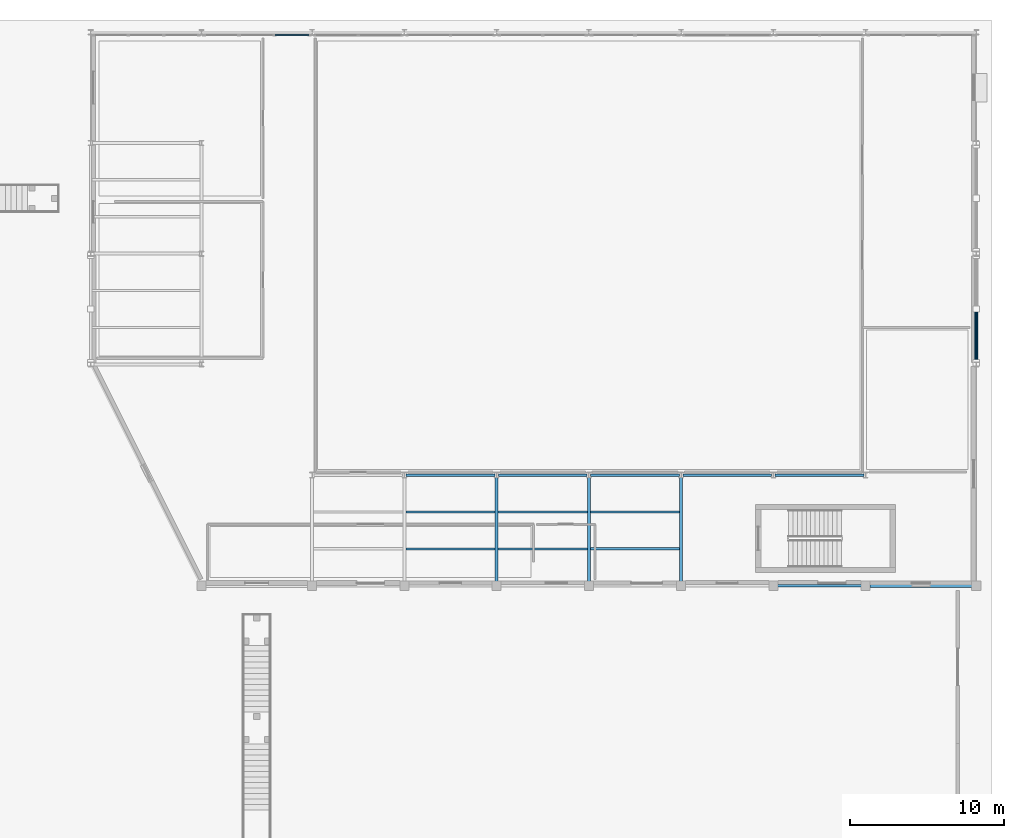
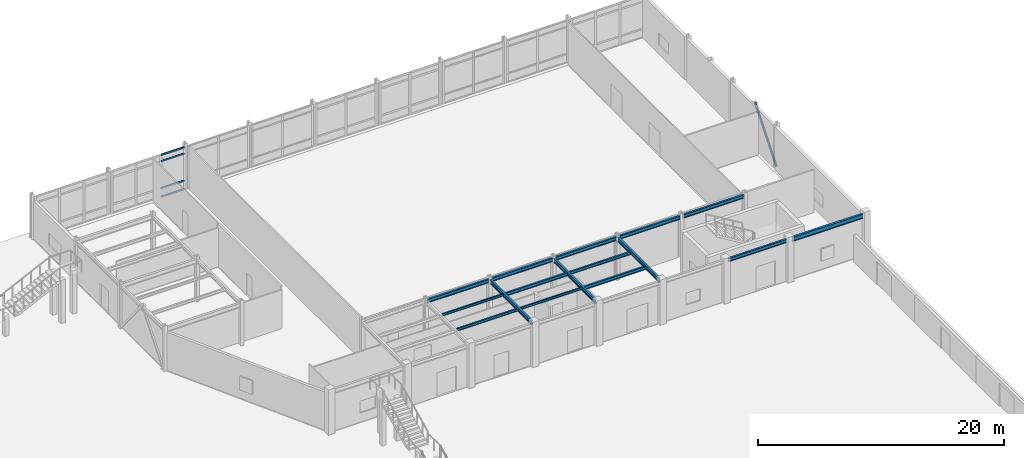
# One storey, part 19 of 58: 16 beams, 5 members, 1 element without a shape of its own.
"""IFC4 building model written with IfcOpenShell, lengths in metres."""

import ifcopenshell
import ifcopenshell.guid

model = None  # the IFC model being written
_history = None  # IfcOwnerHistory: only IFC2X3 demands one
_inside = {}  # id of a spatial element -> (the spatial element, [elements in it])
_under = {}  # id of a project, library or spatial element -> (it, [spatial elements below it])
_declared = {}  # id of a project -> (the project, [libraries it declares])
_typed = {}  # id of a type object -> (the type object, [elements of that type])
_made_of = {}  # id of a material, layer set ... -> (it, [elements and type objects made of it])


def new_model(schema):
    """Start an empty IFC model of exactly this schema.

    Asked for "IFC4X3", IfcOpenShell would pick the latest addendum, in which some entities
    have other attributes; the version numbers below select the first issue.
    IFC2X3 requires an IfcOwnerHistory on every rooted entity: one is made here for all.
    """
    global model, _history
    if schema == "IFC4X3":
        model = ifcopenshell.file(schema_version=(4, 3, 0, 0))
    else:
        model = ifcopenshell.file(schema=schema)
    _inside.clear()
    _under.clear()
    _declared.clear()
    _typed.clear()
    _made_of.clear()
    _history = None
    if model.schema == "IFC2X3":
        org = make("IfcOrganization", Name="unknown")
        user = make(
            "IfcPersonAndOrganization",
            ThePerson=make("IfcPerson", FamilyName="unknown"),
            TheOrganization=org,
        )
        app = make(
            "IfcApplication",
            ApplicationDeveloper=org,
            Version="unknown",
            ApplicationFullName="unknown",
            ApplicationIdentifier="unknown",
        )
        _history = make(
            "IfcOwnerHistory",
            OwningUser=user,
            OwningApplication=app,
            ChangeAction="ADDED",
            CreationDate=0,
        )
    return model


def make(cls, **values):
    """One entity of the class cls with the attributes given. An attribute that is None is left unset."""
    return model.create_entity(
        cls, **{name: value for name, value in values.items() if value is not None}
    )


def rooted(cls, **values):
    """An entity with a GlobalId (a new one), such as an element, a storey or a relation."""
    return make(cls, GlobalId=ifcopenshell.guid.new(), OwnerHistory=_history, **values)


def si_unit(unit_type, name, prefix=None):
    """IfcSIUnit, for example si_unit("LENGTHUNIT", "METRE", prefix="MILLI")."""
    return make("IfcSIUnit", UnitType=unit_type, Prefix=prefix, Name=name)


def assignment(units):
    """IfcUnitAssignment: the units of a project."""
    return None if units is None else make("IfcUnitAssignment", Units=units)


def point(xyz):
    """IfcCartesianPoint."""
    return None if xyz is None else make("IfcCartesianPoint", Coordinates=xyz)


def direction(xyz):
    """IfcDirection."""
    return None if xyz is None else make("IfcDirection", DirectionRatios=xyz)


def frame(location, z_axis=None, x_axis=None):
    """IfcAxis2Placement3D, a coordinate frame: its origin and axes. An axis left out is left unset."""
    return make(
        "IfcAxis2Placement3D",
        Location=point(location),
        Axis=direction(z_axis),
        RefDirection=direction(x_axis),
    )


def frame_2d(location, x_axis=None):
    """IfcAxis2Placement2D, a coordinate frame in the plane: its origin and x axis."""
    return make(
        "IfcAxis2Placement2D", Location=point(location), RefDirection=direction(x_axis)
    )


def origin():
    """The frame at (0, 0, 0) with its axes left unset."""
    return frame((0.0, 0.0, 0.0))


def origin_2d():
    """The frame at (0, 0) in the plane with its x axis left unset."""
    return frame_2d((0.0, 0.0))


def place(relative_to, where):
    """IfcLocalPlacement: puts the frame where relative to a parent placement (None: the world)."""
    return make(
        "IfcLocalPlacement", PlacementRelTo=relative_to, RelativePlacement=where
    )


def context(
    kind, dimensions, precision=None, world=None, true_north=None, identifier=None
):
    """IfcGeometricRepresentationContext, for example the 3D "Model" context."""
    return make(
        "IfcGeometricRepresentationContext",
        ContextIdentifier=identifier,
        ContextType=kind,
        CoordinateSpaceDimension=dimensions,
        Precision=precision,
        WorldCoordinateSystem=world,
        TrueNorth=true_north,
    )


def subcontext(parent, identifier, kind, view, scale=None):
    """IfcGeometricRepresentationSubContext, for example "Body" below "Model"."""
    return make(
        "IfcGeometricRepresentationSubContext",
        ContextIdentifier=identifier,
        ContextType=kind,
        ParentContext=parent,
        TargetScale=scale,
        TargetView=view,
    )


def project(units=None, contexts=None):
    """IfcProject with its units and contexts."""
    return rooted(
        "IfcProject",
        Name="project",
        RepresentationContexts=contexts,
        UnitsInContext=assignment(units),
    )


def spatial(cls, under=None, at=None, **own):
    """A site, building, storey or space (cls), placed at a placement, below another one or the project."""
    s = rooted(cls, ObjectPlacement=at, **own)
    if under is not None:
        _under.setdefault(under.id(), (under, []))[1].append(s)
    return s


def profile(cls, at=None, kind="AREA", **sizes):
    """A parametric profile (cls). Its sizes go by their IFC names, for example OverallWidth=200.0."""
    return make(cls, ProfileType=kind, Position=at, **sizes)


def rectangle(**sizes):
    """IfcRectangleProfileDef."""
    return profile("IfcRectangleProfileDef", **sizes)


def hollow_circle(**sizes):
    """IfcCircleHollowProfileDef."""
    return profile("IfcCircleHollowProfileDef", **sizes)


def i_section(**sizes):
    """IfcIShapeProfileDef."""
    return profile("IfcIShapeProfileDef", **sizes)


def extrude(swept, where, along, depth):
    """IfcExtrudedAreaSolid: the profile swept, set in the frame where, extruded along a direction by depth."""
    return make(
        "IfcExtrudedAreaSolid",
        SweptArea=swept,
        Position=where,
        ExtrudedDirection=direction(along),
        Depth=depth,
    )


def shape(context_of_items, identifier, shape_type, items):
    """IfcShapeRepresentation: the items that make up one representation, for example the "Body"."""
    return make(
        "IfcShapeRepresentation",
        ContextOfItems=context_of_items,
        RepresentationIdentifier=identifier,
        RepresentationType=shape_type,
        Items=items,
    )


def material(Name=None, Category=None):
    """IfcMaterial."""
    return make("IfcMaterial", Name=Name, Category=Category)


def layer(
    of_material, thickness, ventilated=None, Name=None, Category=None, Priority=None
):
    """IfcMaterialLayer: one layer of a wall or slab, of a material (None: an air gap)."""
    return make(
        "IfcMaterialLayer",
        Material=of_material,
        LayerThickness=thickness,
        IsVentilated=ventilated,
        Name=Name,
        Category=Category,
        Priority=Priority,
    )


def layer_set(layers, Name=None):
    """IfcMaterialLayerSet."""
    return make("IfcMaterialLayerSet", MaterialLayers=layers, LayerSetName=Name)


def material_profile(
    of_material, cross_section, Name=None, Category=None, Priority=None
):
    """IfcMaterialProfile: a cross section and its material."""
    return make(
        "IfcMaterialProfile",
        Name=Name,
        Material=of_material,
        Profile=cross_section,
        Priority=Priority,
        Category=Category,
    )


def profile_set(profiles, Name=None, composite=None):
    """IfcMaterialProfileSet."""
    return make(
        "IfcMaterialProfileSet",
        Name=Name,
        MaterialProfiles=profiles,
        CompositeProfile=composite,
    )


def made_of(thing, what):
    """Note that an element or type object is made of a material, layer set ...; save() writes the relation."""
    if what is not None:
        _made_of.setdefault(what.id(), (what, []))[1].append(thing)
    return thing


def type_object(cls, material=None, **own):
    """A type object (cls), such as IfcWallType, which elements share."""
    return made_of(rooted(cls, **own), material)


def element(
    cls,
    number,
    at=None,
    inside=None,
    cuts=None,
    type_object=None,
    material=None,
    context=None,
    identifier="Body",
    shape_type=None,
    held_by="IfcProductDefinitionShape",
    body=None,
    shapes=None,
    **own,
):
    """One element of the class cls, such as IfcWall. Its Tag is "e" and its number.

    at: its placement. inside: the storey or other place that contains it. cuts: it is an
    opening in that element (IfcRelVoidsElement). A single representation is given by context,
    identifier, shape_type and body (its items); several are given by shapes. held_by: the class
    of the entity that holds the representations. save() writes the other relations.
    """
    e = rooted(cls, Tag="e%d" % number, ObjectPlacement=at, **own)
    if body is not None:
        shapes = [shape(context, identifier, shape_type, body)]
    if shapes is not None:
        e.Representation = make(held_by, Representations=shapes)
    if inside is not None:
        _inside.setdefault(inside.id(), (inside, []))[1].append(e)
    if cuts is not None:
        rooted(
            "IfcRelVoidsElement", RelatingBuildingElement=cuts, RelatedOpeningElement=e
        )
    if type_object is not None:
        _typed.setdefault(type_object.id(), (type_object, []))[1].append(e)
    return made_of(e, material)


def aggregate(whole, parts):
    """IfcRelAggregates: a whole, such as a stair, and the parts it consists of."""
    return rooted("IfcRelAggregates", RelatingObject=whole, RelatedObjects=parts)


def save(model, path):
    """Write the relations noted so far, then the file.

    IfcRelAggregates (storeys below a building ...), IfcRelContainedInSpatialStructure (elements
    in a storey), IfcRelDefinesByType, IfcRelAssociatesMaterial and IfcRelDeclares: one each for
    every whole, place, type object, material and project.
    """
    for whole, parts in _under.values():
        aggregate(whole, parts)
    for where, things in _inside.values():
        rooted(
            "IfcRelContainedInSpatialStructure",
            RelatedElements=things,
            RelatingStructure=where,
        )
    for kind, things in _typed.values():
        rooted("IfcRelDefinesByType", RelatedObjects=things, RelatingType=kind)
    for what, things in _made_of.values():
        rooted("IfcRelAssociatesMaterial", RelatedObjects=things, RelatingMaterial=what)
    for by, libraries in _declared.values():
        rooted("IfcRelDeclares", RelatingContext=by, RelatedDefinitions=libraries)
    model.write(path)


model = new_model("IFC4")

# Units and contexts
model_context = context("Model", 3, precision=1e-05, world=origin(), true_north=direction((0.0, 1.0)))
body_context = subcontext(model_context, "Body", "Model", "MODEL_VIEW")
ifc_project = project(units=[si_unit("LENGTHUNIT", "METRE"), si_unit("AREAUNIT", "SQUARE_METRE"), si_unit("VOLUMEUNIT", "CUBIC_METRE"), si_unit("PLANEANGLEUNIT", "RADIAN"), si_unit("MASSUNIT", "GRAM", prefix="KILO")], contexts=[model_context])

# Site, building, storey
site_placement = place(None, origin())
site = spatial("IfcSite", under=ifc_project, at=site_placement, CompositionType="ELEMENT")
building_placement = place(site_placement, origin())
building = spatial("IfcBuilding", under=site, at=building_placement, Name="Brisavento Harbour Community Centre", CompositionType="ELEMENT")
storey_placement = place(building_placement, origin())
storey = spatial("IfcBuildingStorey", under=building, at=storey_placement, Name="L00", CompositionType="ELEMENT", Elevation=0.0)

# Beams
ifc_material_1 = material(Name="Steel S355", Category="steel")
ifc_material_profile_1 = material_profile(ifc_material_1, i_section(OverallWidth=0.1201171875, OverallDepth=0.239990234375, WebThickness=0.006103515625, FlangeThickness=0.009765625, FilletRadius=0.014892578125, at=origin_2d()), Name="Steel S355")
ifc_profile_set_1 = profile_set([ifc_material_profile_1], Name="Steel S355")
beam_type_1 = type_object("IfcBeamType", Name="BM-STL-IPE240", PredefinedType="JOIST", material=ifc_profile_set_1)
for number, where, z_axis, x_axis, name in (
    (1, (135.68994140625, 84.0, 4.1201171875), (1.0, 0.0, 0.0), (0.0, 1.0, 0.0), "L00 secondary floor joist 0199"),
    (2, (141.68994140625, 81.60009765625, 4.1201171875), (1.0, 0.0, 0.0), (0.0, 1.0, 0.0), "L00 secondary floor joist 0203"),
):
    element("IfcBeam", number, at=place(storey_placement, frame(where, z_axis=z_axis, x_axis=x_axis)), inside=storey, type_object=beam_type_1, Name=name, PredefinedType="JOIST", context=body_context, shape_type="SweptSolid", body=[
        extrude(i_section(OverallWidth=0.1201171875, OverallDepth=0.239990234375, WebThickness=0.006103515625, FlangeThickness=0.009765625, FilletRadius=0.014892578125, at=origin_2d()), origin(), (0.0, 0.0, 1.0), 5.820068359375),
    ])
ifc_material_profile_2 = material_profile(ifc_material_1, i_section(OverallWidth=0.135009765625, OverallDepth=0.27001953125, WebThickness=0.006591796875, FlangeThickness=0.01025390625, FilletRadius=0.014892578125, at=origin_2d()), Name="Steel S355")
ifc_profile_set_2 = profile_set([ifc_material_profile_2], Name="Steel S355")
beam_type_2 = type_object("IfcBeamType", Name="BM-STL-IPE270", PredefinedType="JOIST", material=ifc_profile_set_2)
beam_1_placement = place(storey_placement, frame((135.68994140625, 81.60009765625, 4.10498046875), z_axis=(1.0, 0.0, 0.0), x_axis=(0.0, 1.0, 0.0)))
element("IfcBeam", 3, at=beam_1_placement, inside=storey, type_object=beam_type_2, Name="L00 secondary floor joist 0198", PredefinedType="JOIST", context=body_context, shape_type="SweptSolid", body=[
    extrude(i_section(OverallWidth=0.135009765625, OverallDepth=0.27001953125, WebThickness=0.006591796875, FlangeThickness=0.01025390625, FilletRadius=0.014892578125, at=origin_2d()), origin(), (0.0, 0.0, 1.0), 5.820068359375),
])
ifc_material_profile_3 = material_profile(ifc_material_1, i_section(OverallWidth=0.14990234375, OverallDepth=0.300048828125, WebThickness=0.007080078125, FlangeThickness=0.0107421875, FilletRadius=0.014892578125, at=origin_2d()), Name="Steel S355")
ifc_profile_set_3 = profile_set([ifc_material_profile_3], Name="Steel S355")
beam_type_3 = type_object("IfcBeamType", Name="BM-STL-IPE300", PredefinedType="JOIST", material=ifc_profile_set_3)
beam_2_placement = place(storey_placement, frame((147.68994140625, 84.0, 4.090087890625), z_axis=(1.0, 0.0, 0.0), x_axis=(0.0, 1.0, 0.0)))
element("IfcBeam", 4, at=beam_2_placement, inside=storey, type_object=beam_type_3, Name="L00 secondary floor joist 0209", PredefinedType="JOIST", context=body_context, shape_type="SweptSolid", body=[
    extrude(i_section(OverallWidth=0.14990234375, OverallDepth=0.300048828125, WebThickness=0.007080078125, FlangeThickness=0.0107421875, FilletRadius=0.014892578125, at=origin_2d()), origin(), (0.0, 0.0, 1.0), 5.820068359375),
])
ifc_material_profile_4 = material_profile(ifc_material_1, i_section(OverallWidth=0.159912109375, OverallDepth=0.330078125, WebThickness=0.007568359375, FlangeThickness=0.011474609375, FilletRadius=0.01806640625, at=origin_2d()), Name="Steel S355")
ifc_profile_set_4 = profile_set([ifc_material_profile_4], Name="Steel S355")
beam_type_4 = type_object("IfcBeamType", Name="BM-STL-IPE330", PredefinedType="JOIST", material=ifc_profile_set_4)
for number, where, z_axis, x_axis, name in (
    (5, (141.68994140625, 84.0, 4.074951171875), (1.0, 0.0, 0.0), (0.0, 1.0, 0.0), "L00 secondary floor joist 0204"),
    (6, (147.68994140625, 81.60009765625, 4.074951171875), (1.0, 0.0, 0.0), (0.0, 1.0, 0.0), "L00 secondary floor joist 0208"),
):
    element("IfcBeam", number, at=place(storey_placement, frame(where, z_axis=z_axis, x_axis=x_axis)), inside=storey, type_object=beam_type_4, Name=name, PredefinedType="JOIST", context=body_context, shape_type="SweptSolid", body=[
        extrude(i_section(OverallWidth=0.159912109375, OverallDepth=0.330078125, WebThickness=0.007568359375, FlangeThickness=0.011474609375, FilletRadius=0.01806640625, at=origin_2d()), origin(), (0.0, 0.0, 1.0), 5.820068359375),
    ])
ifc_material_profile_5 = material_profile(ifc_material_1, i_section(OverallWidth=0.169921875, OverallDepth=0.360107421875, WebThickness=0.008056640625, FlangeThickness=0.0126953125, FilletRadius=0.01806640625, at=origin_2d()), Name="Steel S355")
ifc_profile_set_5 = profile_set([ifc_material_profile_5], Name="Steel S355")
beam_type_5 = type_object("IfcBeamType", Name="BM-STL-IPE360", PredefinedType="BEAM", material=ifc_profile_set_5)
beam_3_placement = place(storey_placement, frame((159.8701171875, 79.199951171875, 4.06005859375), z_axis=(1.0, 0.0, 0.0), x_axis=(0.0, 1.0, 0.0)))
element("IfcBeam", 7, at=beam_3_placement, inside=storey, type_object=beam_type_5, Name="L00 primary girder X0307", PredefinedType="BEAM", context=body_context, shape_type="SweptSolid", body=[
    extrude(i_section(OverallWidth=0.169921875, OverallDepth=0.360107421875, WebThickness=0.008056640625, FlangeThickness=0.0126953125, FilletRadius=0.01806640625, at=origin_2d()), origin(), (0.0, 0.0, 1.0), 5.4599609375),
])
for number, where, z_axis, x_axis, name in (
    (8, (135.719970703125, 86.39990234375, 4.06005859375), (1.0, 0.0, 0.0), (0.0, 1.0, 0.0), "L00 primary girder X0315"),
    (9, (141.719970703125, 86.39990234375, 4.06005859375), (1.0, 0.0, 0.0), (0.0, 1.0, 0.0), "L00 primary girder X0316"),
    (10, (147.719970703125, 86.39990234375, 4.06005859375), (1.0, 0.0, 0.0), (0.0, 1.0, 0.0), "L00 primary girder X0317"),
    (11, (153.719970703125, 86.39990234375, 4.06005859375), (1.0, 0.0, 0.0), (0.0, 1.0, 0.0), "L00 primary girder X0318"),
    (12, (159.719970703125, 86.39990234375, 4.06005859375), (1.0, 0.0, 0.0), (0.0, 1.0, 0.0), "L00 primary girder X0319"),
):
    element("IfcBeam", number, at=place(storey_placement, frame(where, z_axis=z_axis, x_axis=x_axis)), inside=storey, type_object=beam_type_5, Name=name, PredefinedType="BEAM", context=body_context, shape_type="SweptSolid", body=[
        extrude(i_section(OverallWidth=0.169921875, OverallDepth=0.360107421875, WebThickness=0.008056640625, FlangeThickness=0.0126953125, FilletRadius=0.01806640625, at=origin_2d()), origin(), (0.0, 0.0, 1.0), 5.760009765625),
    ])
ifc_material_profile_6 = material_profile(ifc_material_1, i_section(OverallWidth=0.179931640625, OverallDepth=0.39990234375, WebThickness=0.008544921875, FlangeThickness=0.013427734375, FilletRadius=0.02099609375, at=origin_2d()), Name="Steel S355")
ifc_profile_set_6 = profile_set([ifc_material_profile_6], Name="Steel S355")
beam_type_6 = type_object("IfcBeamType", Name="BM-STL-IPE400", PredefinedType="BEAM", material=ifc_profile_set_6)
for number, where, z_axis, x_axis, name in (
    (13, (141.60009765625, 79.469970703125, 4.0400390625), (0.0, 1.0, 0.0), (-1.0, 0.0, 0.0), "L00 primary girder Y0378"),
    (14, (147.60009765625, 79.469970703125, 4.0400390625), (0.0, 1.0, 0.0), (-1.0, 0.0, 0.0), "L00 primary girder Y0381"),
    (15, (153.60009765625, 79.469970703125, 4.0400390625), (0.0, 1.0, 0.0), (-1.0, 0.0, 0.0), "L00 primary girder Y0385"),
):
    element("IfcBeam", number, at=place(storey_placement, frame(where, z_axis=z_axis, x_axis=x_axis)), inside=storey, type_object=beam_type_6, Name=name, PredefinedType="BEAM", context=body_context, shape_type="SweptSolid", body=[
        extrude(i_section(OverallWidth=0.179931640625, OverallDepth=0.39990234375, WebThickness=0.008544921875, FlangeThickness=0.013427734375, FilletRadius=0.02099609375, at=origin_2d()), origin(), (0.0, 0.0, 1.0), 6.780029296875),
    ])
ifc_material_profile_7 = material_profile(ifc_material_1, i_section(OverallWidth=0.18994140625, OverallDepth=0.449951171875, WebThickness=0.009521484375, FlangeThickness=0.0146484375, FilletRadius=0.02099609375, at=origin_2d()), Name="Steel S355")
ifc_profile_set_7 = profile_set([ifc_material_profile_7], Name="Steel S355")
beam_type_7 = type_object("IfcBeamType", Name="BM-STL-IPE450", PredefinedType="BEAM", material=ifc_profile_set_7)
beam_4_placement = place(storey_placement, frame((165.8701171875, 79.199951171875, 4.014892578125), z_axis=(1.0, 0.0, 0.0), x_axis=(0.0, 1.0, 0.0)))
element("IfcBeam", 16, at=beam_4_placement, inside=storey, type_object=beam_type_7, Name="L00 primary girder X0308", PredefinedType="BEAM", context=body_context, shape_type="SweptSolid", body=[
    extrude(i_section(OverallWidth=0.18994140625, OverallDepth=0.449951171875, WebThickness=0.009521484375, FlangeThickness=0.0146484375, FilletRadius=0.02099609375, at=origin_2d()), origin(), (0.0, 0.0, 1.0), 6.659912109375),
])

# Curtain wall, members
ifc_material_2 = material(Name="Marine-anodised aluminium AW-6063-T6", Category="aluminium")
ifc_layer = layer(ifc_material_2, 0.179931640625, Name="Marine-anodised aluminium AW-6063-T6")
ifc_layer_set = layer_set([ifc_layer], Name="Marine-anodised aluminium AW-6063-T6")
curtain_wall_type = type_object("IfcCurtainWallType", Name="CW-SYS-08", PredefinedType="USERDEFINED", material=ifc_layer_set)
curtain_wall_placement = place(storey_placement, origin())
curtain_wall = element("IfcCurtainWall", 17, at=curtain_wall_placement, inside=storey, type_object=curtain_wall_type, Name="L00 V4 unitised curtain wall 008", ObjectType="UNITISED CURTAIN WALL", PredefinedType="USERDEFINED")
ifc_material_profile_8 = material_profile(ifc_material_2, rectangle(XDim=0.080078125, YDim=0.155029296875, at=origin_2d()), Name="Marine-anodised aluminium AW-6063-T6")
ifc_profile_set_8 = profile_set([ifc_material_profile_8], Name="Marine-anodised aluminium AW-6063-T6")
member_type_1 = type_object("IfcMemberType", Name="CWT-04", PredefinedType="USERDEFINED", material=ifc_profile_set_8)
member_1_placement = place(storey_placement, frame((127.195068359375, 115.02001953125, 0.0400390625), z_axis=(1.0, 0.0, 0.0), x_axis=(0.0, 1.0, 0.0)))
member_1 = element("IfcMember", 18, at=member_1_placement, type_object=member_type_1, Name="CW-08 transom 3.1", ObjectType="TRANSOM", PredefinedType="USERDEFINED", context=body_context, shape_type="SweptSolid", body=[
    extrude(rectangle(XDim=0.080078125, YDim=0.155029296875, at=origin_2d()), origin(), (0.0, 0.0, 1.0), 2.18994140625),
])
member_2_placement = place(storey_placement, frame((127.195068359375, 115.02001953125, 0.89990234375), z_axis=(1.0, 0.0, 0.0), x_axis=(0.0, 1.0, 0.0)))
member_2 = element("IfcMember", 19, at=member_2_placement, type_object=member_type_1, Name="CW-08 transom 3.2", ObjectType="TRANSOM", PredefinedType="USERDEFINED", context=body_context, shape_type="SweptSolid", body=[
    extrude(rectangle(XDim=0.080078125, YDim=0.155029296875, at=origin_2d()), origin(), (0.0, 0.0, 1.0), 2.18994140625),
])
member_3_placement = place(storey_placement, frame((127.195068359375, 115.02001953125, 3.590087890625), z_axis=(1.0, 0.0, 0.0), x_axis=(0.0, 1.0, 0.0)))
member_3 = element("IfcMember", 20, at=member_3_placement, type_object=member_type_1, Name="CW-08 transom 3.3", ObjectType="TRANSOM", PredefinedType="USERDEFINED", context=body_context, shape_type="SweptSolid", body=[
    extrude(rectangle(XDim=0.080078125, YDim=0.155029296875, at=origin_2d()), origin(), (0.0, 0.0, 1.0), 2.18994140625),
])
member_4_placement = place(storey_placement, frame((127.195068359375, 115.02001953125, 4.199951171875), z_axis=(1.0, 0.0, 0.0), x_axis=(0.0, 1.0, 0.0)))
member_4 = element("IfcMember", 21, at=member_4_placement, type_object=member_type_1, Name="CW-08 transom 3.4", ObjectType="TRANSOM", PredefinedType="USERDEFINED", context=body_context, shape_type="SweptSolid", body=[
    extrude(rectangle(XDim=0.080078125, YDim=0.155029296875, at=origin_2d()), origin(), (0.0, 0.0, 1.0), 2.18994140625),
])
aggregate(curtain_wall, [member_1, member_2, member_3, member_4])

# Member
ifc_material_profile_9 = material_profile(ifc_material_1, hollow_circle(Radius=0.109619140625, WallThickness=0.010009765625, at=origin_2d()), Name="Steel S355")
ifc_profile_set_9 = profile_set([ifc_material_profile_9], Name="Steel S355")
member_type_2 = type_object("IfcMemberType", Name="MEM-BRC-CHS219", PredefinedType="BRACE", material=ifc_profile_set_9)
member_5_placement = place(storey_placement, frame((172.800048828125, 93.719970703125, 0.0), z_axis=(0.0, 0.632640623521, 0.774445505811), x_axis=(-1.0, 0.0, 0.0)))
element("IfcMember", 22, at=member_5_placement, inside=storey, type_object=member_type_2, Name="Sports Hall flank chevron brace 1.1", PredefinedType="BRACE", context=body_context, shape_type="SweptSolid", body=[
    extrude(hollow_circle(Radius=0.109619140625, WallThickness=0.010009765625, at=origin_2d()), origin(), (0.0, 0.0, 1.0), 5.500732421875),
])

save(model, "model.ifc")
